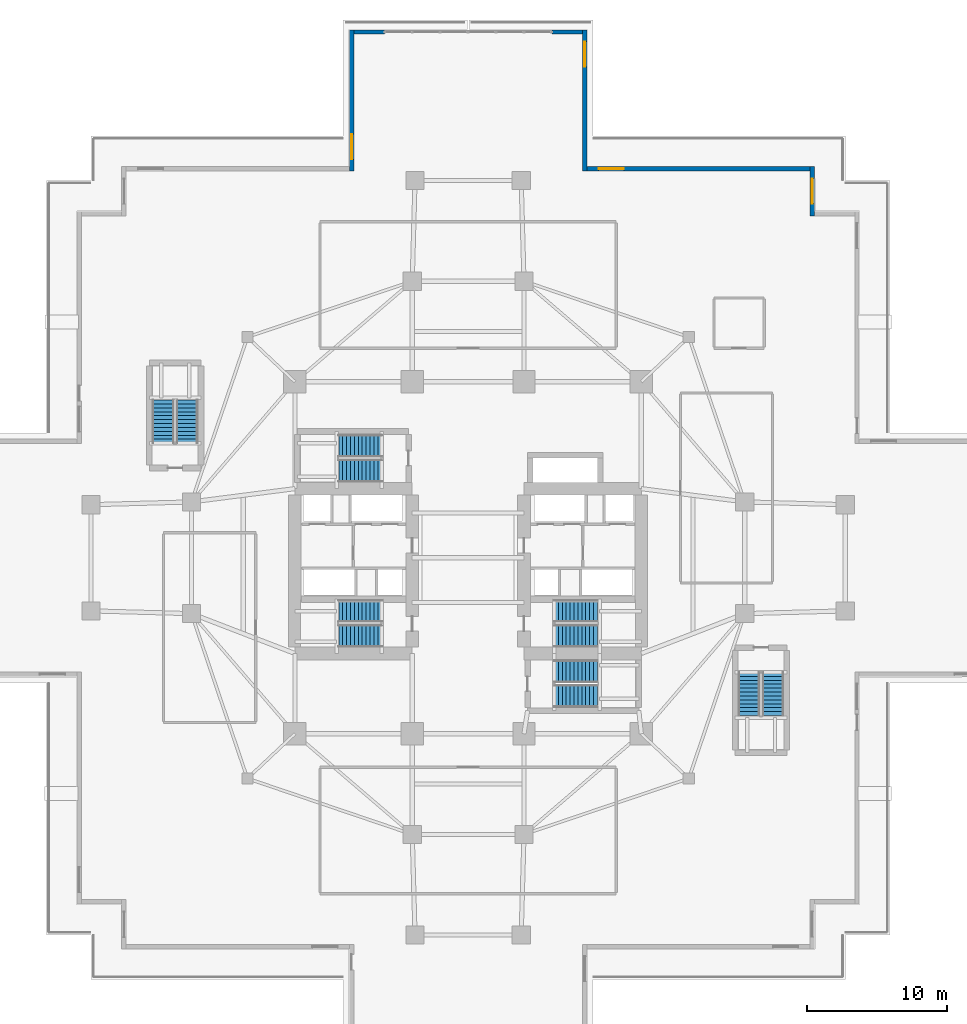
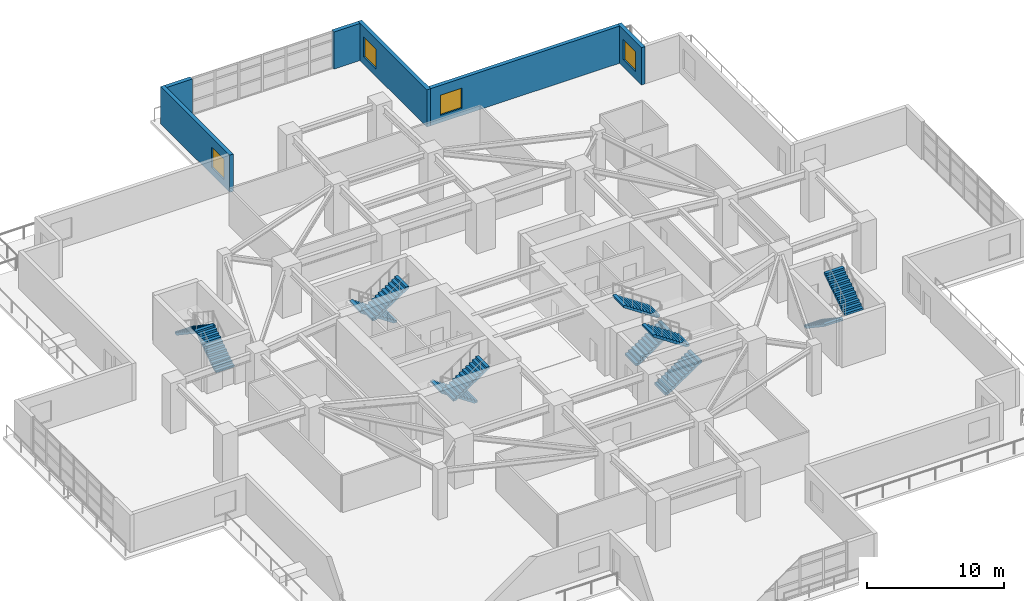
# One storey, part 16 of 23: 12 stair flights, 6 walls, 4 windows, 4 openings, 6 elements without a shape of their own.
"""IFC4 building model written with IfcOpenShell, lengths in metres."""

import ifcopenshell
import ifcopenshell.guid

model = None  # the IFC model being written
_history = None  # IfcOwnerHistory: only IFC2X3 demands one
_inside = {}  # id of a spatial element -> (the spatial element, [elements in it])
_under = {}  # id of a project, library or spatial element -> (it, [spatial elements below it])
_declared = {}  # id of a project -> (the project, [libraries it declares])
_typed = {}  # id of a type object -> (the type object, [elements of that type])
_made_of = {}  # id of a material, layer set ... -> (it, [elements and type objects made of it])


def new_model(schema):
    """Start an empty IFC model of exactly this schema.

    Asked for "IFC4X3", IfcOpenShell would pick the latest addendum, in which some entities
    have other attributes; the version numbers below select the first issue.
    IFC2X3 requires an IfcOwnerHistory on every rooted entity: one is made here for all.
    """
    global model, _history
    if schema == "IFC4X3":
        model = ifcopenshell.file(schema_version=(4, 3, 0, 0))
    else:
        model = ifcopenshell.file(schema=schema)
    _inside.clear()
    _under.clear()
    _declared.clear()
    _typed.clear()
    _made_of.clear()
    _history = None
    if model.schema == "IFC2X3":
        org = make("IfcOrganization", Name="unknown")
        user = make(
            "IfcPersonAndOrganization",
            ThePerson=make("IfcPerson", FamilyName="unknown"),
            TheOrganization=org,
        )
        app = make(
            "IfcApplication",
            ApplicationDeveloper=org,
            Version="unknown",
            ApplicationFullName="unknown",
            ApplicationIdentifier="unknown",
        )
        _history = make(
            "IfcOwnerHistory",
            OwningUser=user,
            OwningApplication=app,
            ChangeAction="ADDED",
            CreationDate=0,
        )
    return model


def make(cls, **values):
    """One entity of the class cls with the attributes given. An attribute that is None is left unset."""
    return model.create_entity(
        cls, **{name: value for name, value in values.items() if value is not None}
    )


def rooted(cls, **values):
    """An entity with a GlobalId (a new one), such as an element, a storey or a relation."""
    return make(cls, GlobalId=ifcopenshell.guid.new(), OwnerHistory=_history, **values)


def si_unit(unit_type, name, prefix=None):
    """IfcSIUnit, for example si_unit("LENGTHUNIT", "METRE", prefix="MILLI")."""
    return make("IfcSIUnit", UnitType=unit_type, Prefix=prefix, Name=name)


def assignment(units):
    """IfcUnitAssignment: the units of a project."""
    return None if units is None else make("IfcUnitAssignment", Units=units)


def point(xyz):
    """IfcCartesianPoint."""
    return None if xyz is None else make("IfcCartesianPoint", Coordinates=xyz)


def direction(xyz):
    """IfcDirection."""
    return None if xyz is None else make("IfcDirection", DirectionRatios=xyz)


def frame(location, z_axis=None, x_axis=None):
    """IfcAxis2Placement3D, a coordinate frame: its origin and axes. An axis left out is left unset."""
    return make(
        "IfcAxis2Placement3D",
        Location=point(location),
        Axis=direction(z_axis),
        RefDirection=direction(x_axis),
    )


def frame_2d(location, x_axis=None):
    """IfcAxis2Placement2D, a coordinate frame in the plane: its origin and x axis."""
    return make(
        "IfcAxis2Placement2D", Location=point(location), RefDirection=direction(x_axis)
    )


def origin():
    """The frame at (0, 0, 0) with its axes left unset."""
    return frame((0.0, 0.0, 0.0))


def place(relative_to, where):
    """IfcLocalPlacement: puts the frame where relative to a parent placement (None: the world)."""
    return make(
        "IfcLocalPlacement", PlacementRelTo=relative_to, RelativePlacement=where
    )


def context(
    kind, dimensions, precision=None, world=None, true_north=None, identifier=None
):
    """IfcGeometricRepresentationContext, for example the 3D "Model" context."""
    return make(
        "IfcGeometricRepresentationContext",
        ContextIdentifier=identifier,
        ContextType=kind,
        CoordinateSpaceDimension=dimensions,
        Precision=precision,
        WorldCoordinateSystem=world,
        TrueNorth=true_north,
    )


def subcontext(parent, identifier, kind, view, scale=None):
    """IfcGeometricRepresentationSubContext, for example "Body" below "Model"."""
    return make(
        "IfcGeometricRepresentationSubContext",
        ContextIdentifier=identifier,
        ContextType=kind,
        ParentContext=parent,
        TargetScale=scale,
        TargetView=view,
    )


def project(units=None, contexts=None):
    """IfcProject with its units and contexts."""
    return rooted(
        "IfcProject",
        Name="project",
        RepresentationContexts=contexts,
        UnitsInContext=assignment(units),
    )


def spatial(cls, under=None, at=None, **own):
    """A site, building, storey or space (cls), placed at a placement, below another one or the project."""
    s = rooted(cls, ObjectPlacement=at, **own)
    if under is not None:
        _under.setdefault(under.id(), (under, []))[1].append(s)
    return s


def polyline(points):
    """IfcPolyline through the points."""
    return make("IfcPolyline", Points=[point(p) for p in points])


def profile(cls, at=None, kind="AREA", **sizes):
    """A parametric profile (cls). Its sizes go by their IFC names, for example OverallWidth=200.0."""
    return make(cls, ProfileType=kind, Position=at, **sizes)


def rectangle(**sizes):
    """IfcRectangleProfileDef."""
    return profile("IfcRectangleProfileDef", **sizes)


def outline(outer, holes=None, kind="AREA"):
    """IfcArbitraryClosedProfileDef: a profile drawn as a closed curve; with holes, ...WithVoids."""
    if holes is None:
        return make("IfcArbitraryClosedProfileDef", ProfileType=kind, OuterCurve=outer)
    return make(
        "IfcArbitraryProfileDefWithVoids",
        ProfileType=kind,
        OuterCurve=outer,
        InnerCurves=holes,
    )


def extrude(swept, where, along, depth):
    """IfcExtrudedAreaSolid: the profile swept, set in the frame where, extruded along a direction by depth."""
    return make(
        "IfcExtrudedAreaSolid",
        SweptArea=swept,
        Position=where,
        ExtrudedDirection=direction(along),
        Depth=depth,
    )


def shape(context_of_items, identifier, shape_type, items):
    """IfcShapeRepresentation: the items that make up one representation, for example the "Body"."""
    return make(
        "IfcShapeRepresentation",
        ContextOfItems=context_of_items,
        RepresentationIdentifier=identifier,
        RepresentationType=shape_type,
        Items=items,
    )


def material(Name=None, Category=None):
    """IfcMaterial."""
    return make("IfcMaterial", Name=Name, Category=Category)


def layer(
    of_material, thickness, ventilated=None, Name=None, Category=None, Priority=None
):
    """IfcMaterialLayer: one layer of a wall or slab, of a material (None: an air gap)."""
    return make(
        "IfcMaterialLayer",
        Material=of_material,
        LayerThickness=thickness,
        IsVentilated=ventilated,
        Name=Name,
        Category=Category,
        Priority=Priority,
    )


def layer_set(layers, Name=None):
    """IfcMaterialLayerSet."""
    return make("IfcMaterialLayerSet", MaterialLayers=layers, LayerSetName=Name)


def made_of(thing, what):
    """Note that an element or type object is made of a material, layer set ...; save() writes the relation."""
    if what is not None:
        _made_of.setdefault(what.id(), (what, []))[1].append(thing)
    return thing


def type_object(cls, material=None, **own):
    """A type object (cls), such as IfcWallType, which elements share."""
    return made_of(rooted(cls, **own), material)


def element(
    cls,
    number,
    at=None,
    inside=None,
    cuts=None,
    type_object=None,
    material=None,
    context=None,
    identifier="Body",
    shape_type=None,
    held_by="IfcProductDefinitionShape",
    body=None,
    shapes=None,
    **own,
):
    """One element of the class cls, such as IfcWall. Its Tag is "e" and its number.

    at: its placement. inside: the storey or other place that contains it. cuts: it is an
    opening in that element (IfcRelVoidsElement). A single representation is given by context,
    identifier, shape_type and body (its items); several are given by shapes. held_by: the class
    of the entity that holds the representations. save() writes the other relations.
    """
    e = rooted(cls, Tag="e%d" % number, ObjectPlacement=at, **own)
    if body is not None:
        shapes = [shape(context, identifier, shape_type, body)]
    if shapes is not None:
        e.Representation = make(held_by, Representations=shapes)
    if inside is not None:
        _inside.setdefault(inside.id(), (inside, []))[1].append(e)
    if cuts is not None:
        rooted(
            "IfcRelVoidsElement", RelatingBuildingElement=cuts, RelatedOpeningElement=e
        )
    if type_object is not None:
        _typed.setdefault(type_object.id(), (type_object, []))[1].append(e)
    return made_of(e, material)


def fill(opening, filler):
    """IfcRelFillsElement: the door or window that sits in an opening."""
    return rooted(
        "IfcRelFillsElement",
        RelatingOpeningElement=opening,
        RelatedBuildingElement=filler,
    )


def aggregate(whole, parts):
    """IfcRelAggregates: a whole, such as a stair, and the parts it consists of."""
    return rooted("IfcRelAggregates", RelatingObject=whole, RelatedObjects=parts)


def save(model, path):
    """Write the relations noted so far, then the file.

    IfcRelAggregates (storeys below a building ...), IfcRelContainedInSpatialStructure (elements
    in a storey), IfcRelDefinesByType, IfcRelAssociatesMaterial and IfcRelDeclares: one each for
    every whole, place, type object, material and project.
    """
    for whole, parts in _under.values():
        aggregate(whole, parts)
    for where, things in _inside.values():
        rooted(
            "IfcRelContainedInSpatialStructure",
            RelatedElements=things,
            RelatingStructure=where,
        )
    for kind, things in _typed.values():
        rooted("IfcRelDefinesByType", RelatedObjects=things, RelatingType=kind)
    for what, things in _made_of.values():
        rooted("IfcRelAssociatesMaterial", RelatedObjects=things, RelatingMaterial=what)
    for by, libraries in _declared.values():
        rooted("IfcRelDeclares", RelatingContext=by, RelatedDefinitions=libraries)
    model.write(path)


model = new_model("IFC4")

# Units and contexts
model_context = context("Model", 3, precision=1e-05, world=origin(), true_north=direction((0.0, 1.0)))
body_context = subcontext(model_context, "Body", "Model", "MODEL_VIEW")
ifc_project = project(units=[si_unit("LENGTHUNIT", "METRE"), si_unit("AREAUNIT", "SQUARE_METRE"), si_unit("VOLUMEUNIT", "CUBIC_METRE"), si_unit("PLANEANGLEUNIT", "RADIAN"), si_unit("MASSUNIT", "GRAM", prefix="KILO")], contexts=[model_context])

# Site, building, storey
site_placement = place(None, origin())
site = spatial("IfcSite", under=ifc_project, at=site_placement, CompositionType="ELEMENT")
building_placement = place(site_placement, origin())
building = spatial("IfcBuilding", under=site, at=building_placement, Name="Qingluan Cross Belvedere", CompositionType="ELEMENT")
storey_placement = place(building_placement, frame((0.0, 0.0, 10.199951171875)))
storey = spatial("IfcBuildingStorey", under=building, at=storey_placement, Name="L03", CompositionType="ELEMENT", Elevation=10.199951171875)

# Wall, opening, window
ifc_material_1 = material(Name="Precast concrete C45", Category="concrete")
ifc_layer_1 = layer(ifc_material_1, 0.320068359375, Name="PrecastPodiumWall_320")
ifc_layer_set_1 = layer_set([ifc_layer_1], Name="Precast concrete C45")
wall_type = type_object("IfcWallType", Name="PrecastPodiumWall_320", PredefinedType="STANDARD", material=ifc_layer_set_1)
wall_1_placement = place(storey_placement, frame((-8.340087890625, 27.679931640625, 0.0), z_axis=(0.0, 0.0, 1.0), x_axis=(0.0, 1.0, 0.0)))
wall_1 = element("IfcWall", 1, at=wall_1_placement, inside=storey, type_object=wall_type, Name="Podium precast facade wall L03-S18", PredefinedType="STANDARD", context=body_context, shape_type="SweptSolid", body=[
    extrude(rectangle(XDim=10.1201171875, YDim=0.320068359375, at=frame_2d((5.06005859375, 0.0))), origin(), (0.0, 0.0, 1.0), 3.330078125),
])
opening_1_placement = place(wall_1_placement, frame((0.85009765625, 0.0, 0.64990234375)))
opening_1 = element("IfcOpeningElement", 2, at=opening_1_placement, cuts=wall_1, Name="Opening W-06", PredefinedType="OPENING", context=body_context, shape_type="SweptSolid", body=[
    extrude(rectangle(XDim=1.800048828125, YDim=1.800048828125, at=frame_2d((0.89990234375, 0.89990234375))), frame((0.0, 0.169921875, 0.0), z_axis=(0.0, -1.0, 0.0), x_axis=(1.0, 0.0, 0.0)), (0.0, 0.0, 1.0), 0.340087890625),
])
ifc_material_2 = material(Name="Thermally broken triple Low-E glass in aluminium frame", Category="aluminium")
window_type = type_object("IfcWindowType", Name="PodiumGalleryWin_1800x1800", PartitioningType="SINGLE_PANEL", PredefinedType="WINDOW", material=ifc_material_2)
window_1_placement = place(opening_1_placement, origin())
window_1 = element("IfcWindow", 3, at=window_1_placement, inside=storey, type_object=window_type, Name="Podium gallery window L03-S18", OverallHeight=1.800048828125, OverallWidth=1.800048828125, PartitioningType="SINGLE_PANEL", PredefinedType="WINDOW", context=body_context, shape_type="SweptSolid", body=[
    extrude(rectangle(XDim=1.800048828125, YDim=1.800048828125, at=frame_2d((0.89990234375, 0.89990234375))), frame((0.0, 0.030029296875, 0.0), z_axis=(0.0, -1.0, 0.0), x_axis=(1.0, 0.0, 0.0)), (0.0, 0.0, 1.0), 0.06005859375),
])
fill(opening_1, window_1)

# Walls
for number, where, z_axis, x_axis, name in (
    (4, (-8.179931640625, 37.639892578125, 0.0), (0.0, 0.0, 1.0), (1.0, 0.0, 0.0), "Podium portal pier L03-P3JA"),
    (5, (6.0, 37.639892578125, 0.0), (0.0, 0.0, 1.0), (1.0, 0.0, 0.0), "Podium portal pier L03-P3JB"),
):
    element("IfcWall", number, at=place(storey_placement, frame(where, z_axis=z_axis, x_axis=x_axis)), inside=storey, type_object=wall_type, Name=name, PredefinedType="STANDARD", context=body_context, shape_type="SweptSolid", body=[
        extrude(rectangle(XDim=2.179931640625, YDim=0.320068359375, at=frame_2d((1.08984375, 0.0))), origin(), (0.0, 0.0, 1.0), 3.330078125),
    ])

# Wall, opening, window
wall_2_placement = place(storey_placement, frame((8.340087890625, 37.800048828125, 0.0), z_axis=(0.0, 0.0, 1.0), x_axis=(0.0, -1.0, 0.0)))
wall_2 = element("IfcWall", 6, at=wall_2_placement, inside=storey, type_object=wall_type, Name="Podium precast facade wall L03-S21", PredefinedType="STANDARD", context=body_context, shape_type="SweptSolid", body=[
    extrude(rectangle(XDim=10.1201171875, YDim=0.320068359375, at=frame_2d((5.06005859375, 0.0))), origin(), (0.0, 0.0, 1.0), 3.330078125),
])
opening_2_placement = place(wall_2_placement, frame((0.85009765625, 0.0, 0.64990234375)))
opening_2 = element("IfcOpeningElement", 7, at=opening_2_placement, cuts=wall_2, Name="Opening W-06", PredefinedType="OPENING", context=body_context, shape_type="SweptSolid", body=[
    extrude(rectangle(XDim=1.800048828125, YDim=1.800048828125, at=frame_2d((0.89990234375, 0.89990234375))), frame((0.0, 0.169921875, 0.0), z_axis=(0.0, -1.0, 0.0), x_axis=(1.0, 0.0, 0.0)), (0.0, 0.0, 1.0), 0.340087890625),
])
window_2_placement = place(opening_2_placement, origin())
window_2 = element("IfcWindow", 8, at=window_2_placement, inside=storey, type_object=window_type, Name="Podium gallery window L03-S21", OverallHeight=1.800048828125, OverallWidth=1.800048828125, PartitioningType="SINGLE_PANEL", PredefinedType="WINDOW", context=body_context, shape_type="SweptSolid", body=[
    extrude(rectangle(XDim=1.800048828125, YDim=1.800048828125, at=frame_2d((0.89990234375, 0.89990234375))), frame((0.0, 0.030029296875, 0.0), z_axis=(0.0, -1.0, 0.0), x_axis=(1.0, 0.0, 0.0)), (0.0, 0.0, 1.0), 0.06005859375),
])
fill(opening_2, window_2)

wall_3_placement = place(storey_placement, frame((8.5, 27.840087890625, 0.0), z_axis=(0.0, 0.0, 1.0), x_axis=(1.0, 0.0, 0.0)))
wall_3 = element("IfcWall", 9, at=wall_3_placement, inside=storey, type_object=wall_type, Name="Podium precast facade wall L03-S22", PredefinedType="STANDARD", context=body_context, shape_type="SweptSolid", body=[
    extrude(rectangle(XDim=15.97998046875, YDim=0.320068359375, at=frame_2d((7.989990234375, 0.0))), origin(), (0.0, 0.0, 1.0), 3.330078125),
])
opening_3_placement = place(wall_3_placement, frame((0.85009765625, 0.0, 0.64990234375)))
opening_3 = element("IfcOpeningElement", 10, at=opening_3_placement, cuts=wall_3, Name="Opening W-06", PredefinedType="OPENING", context=body_context, shape_type="SweptSolid", body=[
    extrude(rectangle(XDim=1.800048828125, YDim=1.800048828125, at=frame_2d((0.89990234375, 0.89990234375))), frame((0.0, 0.169921875, 0.0), z_axis=(0.0, -1.0, 0.0), x_axis=(1.0, 0.0, 0.0)), (0.0, 0.0, 1.0), 0.340087890625),
])
window_3_placement = place(opening_3_placement, origin())
window_3 = element("IfcWindow", 11, at=window_3_placement, inside=storey, type_object=window_type, Name="Podium gallery window L03-S22", OverallHeight=1.800048828125, OverallWidth=1.800048828125, PartitioningType="SINGLE_PANEL", PredefinedType="WINDOW", context=body_context, shape_type="SweptSolid", body=[
    extrude(rectangle(XDim=1.800048828125, YDim=1.800048828125, at=frame_2d((0.89990234375, 0.89990234375))), frame((0.0, 0.030029296875, 0.0), z_axis=(0.0, -1.0, 0.0), x_axis=(1.0, 0.0, 0.0)), (0.0, 0.0, 1.0), 0.06005859375),
])
fill(opening_3, window_3)

wall_4_placement = place(storey_placement, frame((24.639892578125, 28.0, 0.0), z_axis=(0.0, 0.0, 1.0), x_axis=(0.0, -1.0, 0.0)))
wall_4 = element("IfcWall", 12, at=wall_4_placement, inside=storey, type_object=wall_type, Name="Podium precast facade wall L03-S23", PredefinedType="STANDARD", context=body_context, shape_type="SweptSolid", body=[
    extrude(rectangle(XDim=3.52001953125, YDim=0.320068359375, at=frame_2d((1.760009765625, 0.0))), origin(), (0.0, 0.0, 1.0), 3.330078125),
])
opening_4_placement = place(wall_4_placement, frame((0.85009765625, 0.0, 0.64990234375)))
opening_4 = element("IfcOpeningElement", 13, at=opening_4_placement, cuts=wall_4, Name="Opening W-06", PredefinedType="OPENING", context=body_context, shape_type="SweptSolid", body=[
    extrude(rectangle(XDim=1.800048828125, YDim=1.800048828125, at=frame_2d((0.89990234375, 0.89990234375))), frame((0.0, 0.169921875, 0.0), z_axis=(0.0, -1.0, 0.0), x_axis=(1.0, 0.0, 0.0)), (0.0, 0.0, 1.0), 0.340087890625),
])
window_4_placement = place(opening_4_placement, origin())
window_4 = element("IfcWindow", 14, at=window_4_placement, inside=storey, type_object=window_type, Name="Podium gallery window L03-S23", OverallHeight=1.800048828125, OverallWidth=1.800048828125, PartitioningType="SINGLE_PANEL", PredefinedType="WINDOW", context=body_context, shape_type="SweptSolid", body=[
    extrude(rectangle(XDim=1.800048828125, YDim=1.800048828125, at=frame_2d((0.89990234375, 0.89990234375))), frame((0.0, 0.030029296875, 0.0), z_axis=(0.0, -1.0, 0.0), x_axis=(1.0, 0.0, 0.0)), (0.0, 0.0, 1.0), 0.06005859375),
])
fill(opening_4, window_4)

# Stair, stair flights
ifc_material_3 = material(Name="Concrete C40", Category="concrete")
stair_type_1 = type_object("IfcStairType", Name="PodiumExitStair_1550", PredefinedType="HALF_TURN_STAIR", material=ifc_material_3)
stair_1_placement = place(storey_placement, origin())
stair_1 = element("IfcStair", 15, at=stair_1_placement, inside=storey, type_object=stair_type_1, Name="L03 ST5", PredefinedType="HALF_TURN_STAIR")
ifc_material_4 = material(Name="Concrete C40", Category="concrete")
ifc_layer_2 = layer(ifc_material_4, 0.179931640625, Name="PodiumStairFlight_RC180")
ifc_layer_set_2 = layer_set([ifc_layer_2], Name="Concrete C40")
stair_flight_type_1 = type_object("IfcStairFlightType", Name="PodiumStairFlight_RC180", PredefinedType="STRAIGHT", material=ifc_layer_set_2)
stair_flight_1_placement = place(storey_placement, frame((-20.114990234375, 8.2099609375, 0.0), z_axis=(0.0, 0.0, 1.0), x_axis=(0.0, 1.0, 0.0)))
stair_flight_1 = element("IfcStairFlight", 16, at=stair_flight_1_placement, type_object=stair_flight_type_1, Name="ST5 flight 1", NumberOfRisers=12, NumberOfTreads=11, PredefinedType="STRAIGHT", RiserHeight=0.1875, TreadLength=0.28, context=body_context, shape_type="SweptSolid", body=[
    extrude(outline(polyline([(0.0, 0.0), (0.0, 0.1875), (0.280029296875, 0.1875), (0.280029296875, 0.375), (0.56005859375, 0.375), (0.56005859375, 0.5625), (0.840087890625, 0.5625), (0.840087890625, 0.75), (1.1201171875, 0.75), (1.1201171875, 0.9375), (1.39990234375, 0.9375), (1.39990234375, 1.125), (1.679931640625, 1.125), (1.679931640625, 1.3125), (1.9599609375, 1.3125), (1.9599609375, 1.5), (2.239990234375, 1.5), (2.239990234375, 1.6875), (2.52001953125, 1.6875), (2.52001953125, 1.875), (2.800048828125, 1.875), (2.800048828125, 2.0625), (3.080078125, 2.0625), (3.080078125, 2.25), (3.080078125, 1.882080078125), (0.26953125, 0.0), (0.0, 0.0)])), frame((0.0, 0.77490234375, 0.0), z_axis=(0.0, -1.0, 0.0), x_axis=(1.0, 0.0, 0.0)), (0.0, 0.0, 1.0), 1.550048828125),
])
stair_flight_2_placement = place(storey_placement, frame((-21.824951171875, 11.2900390625, 2.25), z_axis=(0.0, 0.0, 1.0), x_axis=(0.0, -1.0, 0.0)))
stair_flight_2 = element("IfcStairFlight", 17, at=stair_flight_2_placement, type_object=stair_flight_type_1, Name="ST5 flight 2", NumberOfRisers=12, NumberOfTreads=11, PredefinedType="STRAIGHT", RiserHeight=0.1875, TreadLength=0.28, context=body_context, shape_type="SweptSolid", body=[
    extrude(outline(polyline([(0.0, 0.0), (0.0, 0.1875), (0.280029296875, 0.1875), (0.280029296875, 0.375), (0.56005859375, 0.375), (0.56005859375, 0.5625), (0.840087890625, 0.5625), (0.840087890625, 0.75), (1.1201171875, 0.75), (1.1201171875, 0.9375), (1.39990234375, 0.9375), (1.39990234375, 1.125), (1.679931640625, 1.125), (1.679931640625, 1.3125), (1.9599609375, 1.3125), (1.9599609375, 1.5), (2.239990234375, 1.5), (2.239990234375, 1.6875), (2.52001953125, 1.6875), (2.52001953125, 1.875), (2.800048828125, 1.875), (2.800048828125, 2.0625), (3.080078125, 2.0625), (3.080078125, 2.25), (3.080078125, 1.882080078125), (0.26953125, 0.0), (0.0, 0.0)])), frame((0.0, 0.77490234375, 0.0), z_axis=(0.0, -1.0, 0.0), x_axis=(1.0, 0.0, 0.0)), (0.0, 0.0, 1.0), 1.550048828125),
])
aggregate(stair_1, [stair_flight_1, stair_flight_2])

stair_2_placement = place(storey_placement, origin())
stair_2 = element("IfcStair", 18, at=stair_2_placement, inside=storey, type_object=stair_type_1, Name="L03 ST6", PredefinedType="HALF_TURN_STAIR")
stair_flight_3_placement = place(storey_placement, frame((20.114990234375, -8.2099609375, 0.0), z_axis=(0.0, 0.0, 1.0), x_axis=(0.0, -1.0, 0.0)))
stair_flight_3 = element("IfcStairFlight", 19, at=stair_flight_3_placement, type_object=stair_flight_type_1, Name="ST6 flight 1", NumberOfRisers=12, NumberOfTreads=11, PredefinedType="STRAIGHT", RiserHeight=0.1875, TreadLength=0.28, context=body_context, shape_type="SweptSolid", body=[
    extrude(outline(polyline([(0.0, 0.0), (0.0, 0.1875), (0.280029296875, 0.1875), (0.280029296875, 0.375), (0.56005859375, 0.375), (0.56005859375, 0.5625), (0.840087890625, 0.5625), (0.840087890625, 0.75), (1.1201171875, 0.75), (1.1201171875, 0.9375), (1.39990234375, 0.9375), (1.39990234375, 1.125), (1.679931640625, 1.125), (1.679931640625, 1.3125), (1.9599609375, 1.3125), (1.9599609375, 1.5), (2.239990234375, 1.5), (2.239990234375, 1.6875), (2.52001953125, 1.6875), (2.52001953125, 1.875), (2.800048828125, 1.875), (2.800048828125, 2.0625), (3.080078125, 2.0625), (3.080078125, 2.25), (3.080078125, 1.882080078125), (0.26953125, 0.0), (0.0, 0.0)])), frame((0.0, 0.77490234375, 0.0), z_axis=(0.0, -1.0, 0.0), x_axis=(1.0, 0.0, 0.0)), (0.0, 0.0, 1.0), 1.550048828125),
])
stair_flight_4_placement = place(storey_placement, frame((21.824951171875, -11.2900390625, 2.25), z_axis=(0.0, 0.0, 1.0), x_axis=(0.0, 1.0, 0.0)))
stair_flight_4 = element("IfcStairFlight", 20, at=stair_flight_4_placement, type_object=stair_flight_type_1, Name="ST6 flight 2", NumberOfRisers=12, NumberOfTreads=11, PredefinedType="STRAIGHT", RiserHeight=0.1875, TreadLength=0.28, context=body_context, shape_type="SweptSolid", body=[
    extrude(outline(polyline([(0.0, 0.0), (0.0, 0.1875), (0.280029296875, 0.1875), (0.280029296875, 0.375), (0.56005859375, 0.375), (0.56005859375, 0.5625), (0.840087890625, 0.5625), (0.840087890625, 0.75), (1.1201171875, 0.75), (1.1201171875, 0.9375), (1.39990234375, 0.9375), (1.39990234375, 1.125), (1.679931640625, 1.125), (1.679931640625, 1.3125), (1.9599609375, 1.3125), (1.9599609375, 1.5), (2.239990234375, 1.5), (2.239990234375, 1.6875), (2.52001953125, 1.6875), (2.52001953125, 1.875), (2.800048828125, 1.875), (2.800048828125, 2.0625), (3.080078125, 2.0625), (3.080078125, 2.25), (3.080078125, 1.882080078125), (0.26953125, 0.0), (0.0, 0.0)])), frame((0.0, 0.77490234375, 0.0), z_axis=(0.0, -1.0, 0.0), x_axis=(1.0, 0.0, 0.0)), (0.0, 0.0, 1.0), 1.550048828125),
])
aggregate(stair_2, [stair_flight_3, stair_flight_4])

ifc_material_5 = material(Name="Concrete C40", Category="concrete")
stair_type_2 = type_object("IfcStairType", Name="CoreDoglegStair_1620", PredefinedType="HALF_TURN_STAIR", material=ifc_material_5)
stair_3_placement = place(storey_placement, origin())
stair_3 = element("IfcStair", 21, at=stair_3_placement, inside=storey, type_object=stair_type_2, Name="L03 ST1", PredefinedType="HALF_TURN_STAIR")
ifc_material_6 = material(Name="Concrete C40", Category="concrete")
ifc_layer_3 = layer(ifc_material_6, 0.179931640625, Name="StairFlight_RC180")
ifc_layer_set_3 = layer_set([ifc_layer_3], Name="Concrete C40")
stair_flight_type_2 = type_object("IfcStairFlightType", Name="StairFlight_RC180", PredefinedType="STRAIGHT", material=ifc_layer_set_3)
stair_flight_5_placement = place(storey_placement, frame((-6.179931640625, -3.81005859375, 0.0), z_axis=(0.0, 0.0, 1.0), x_axis=(-1.0, 0.0, 0.0)))
stair_flight_5 = element("IfcStairFlight", 22, at=stair_flight_5_placement, type_object=stair_flight_type_2, Name="ST1 flight 1", NumberOfRisers=12, NumberOfTreads=11, PredefinedType="STRAIGHT", RiserHeight=0.1875, TreadLength=0.28, context=body_context, shape_type="SweptSolid", body=[
    extrude(outline(polyline([(0.0, 0.0), (0.0, 0.1875), (0.280029296875, 0.1875), (0.280029296875, 0.375), (0.56005859375, 0.375), (0.56005859375, 0.5625), (0.840087890625, 0.5625), (0.840087890625, 0.75), (1.1201171875, 0.75), (1.1201171875, 0.9375), (1.39990234375, 0.9375), (1.39990234375, 1.125), (1.679931640625, 1.125), (1.679931640625, 1.3125), (1.9599609375, 1.3125), (1.9599609375, 1.5), (2.239990234375, 1.5), (2.239990234375, 1.6875), (2.52001953125, 1.6875), (2.52001953125, 1.875), (2.800048828125, 1.875), (2.800048828125, 2.0625), (3.080078125, 2.0625), (3.080078125, 2.25), (3.080078125, 1.882080078125), (0.26953125, 0.0), (0.0, 0.0)])), frame((0.0, 0.81005859375, 0.0), z_axis=(0.0, -1.0, 0.0), x_axis=(1.0, 0.0, 0.0)), (0.0, 0.0, 1.0), 1.6201171875),
])
stair_flight_6_placement = place(storey_placement, frame((-9.260009765625, -5.590087890625, 2.25), z_axis=(0.0, 0.0, 1.0), x_axis=(1.0, 0.0, 0.0)))
stair_flight_6 = element("IfcStairFlight", 23, at=stair_flight_6_placement, type_object=stair_flight_type_2, Name="ST1 flight 2", NumberOfRisers=12, NumberOfTreads=11, PredefinedType="STRAIGHT", RiserHeight=0.1875, TreadLength=0.28, context=body_context, shape_type="SweptSolid", body=[
    extrude(outline(polyline([(0.0, 0.0), (0.0, 0.1875), (0.280029296875, 0.1875), (0.280029296875, 0.375), (0.56005859375, 0.375), (0.56005859375, 0.5625), (0.840087890625, 0.5625), (0.840087890625, 0.75), (1.1201171875, 0.75), (1.1201171875, 0.9375), (1.39990234375, 0.9375), (1.39990234375, 1.125), (1.679931640625, 1.125), (1.679931640625, 1.3125), (1.9599609375, 1.3125), (1.9599609375, 1.5), (2.239990234375, 1.5), (2.239990234375, 1.6875), (2.52001953125, 1.6875), (2.52001953125, 1.875), (2.800048828125, 1.875), (2.800048828125, 2.0625), (3.080078125, 2.0625), (3.080078125, 2.25), (3.080078125, 1.882080078125), (0.26953125, 0.0), (0.0, 0.0)])), frame((0.0, 0.81005859375, 0.0), z_axis=(0.0, -1.0, 0.0), x_axis=(1.0, 0.0, 0.0)), (0.0, 0.0, 1.0), 1.6201171875),
])
aggregate(stair_3, [stair_flight_5, stair_flight_6])

stair_4_placement = place(storey_placement, origin())
stair_4 = element("IfcStair", 24, at=stair_4_placement, inside=storey, type_object=stair_type_2, Name="L03 ST2", PredefinedType="HALF_TURN_STAIR")
stair_flight_7_placement = place(storey_placement, frame((6.179931640625, -5.590087890625, 0.0), z_axis=(0.0, 0.0, 1.0), x_axis=(1.0, 0.0, 0.0)))
stair_flight_7 = element("IfcStairFlight", 25, at=stair_flight_7_placement, type_object=stair_flight_type_2, Name="ST2 flight 1", NumberOfRisers=12, NumberOfTreads=11, PredefinedType="STRAIGHT", RiserHeight=0.1875, TreadLength=0.28, context=body_context, shape_type="SweptSolid", body=[
    extrude(outline(polyline([(0.0, 0.0), (0.0, 0.1875), (0.280029296875, 0.1875), (0.280029296875, 0.375), (0.56005859375, 0.375), (0.56005859375, 0.5625), (0.840087890625, 0.5625), (0.840087890625, 0.75), (1.1201171875, 0.75), (1.1201171875, 0.9375), (1.39990234375, 0.9375), (1.39990234375, 1.125), (1.679931640625, 1.125), (1.679931640625, 1.3125), (1.9599609375, 1.3125), (1.9599609375, 1.5), (2.239990234375, 1.5), (2.239990234375, 1.6875), (2.52001953125, 1.6875), (2.52001953125, 1.875), (2.800048828125, 1.875), (2.800048828125, 2.0625), (3.080078125, 2.0625), (3.080078125, 2.25), (3.080078125, 1.882080078125), (0.26953125, 0.0), (0.0, 0.0)])), frame((0.0, 0.81005859375, 0.0), z_axis=(0.0, -1.0, 0.0), x_axis=(1.0, 0.0, 0.0)), (0.0, 0.0, 1.0), 1.6201171875),
])
stair_flight_8_placement = place(storey_placement, frame((9.260009765625, -3.81005859375, 2.25), z_axis=(0.0, 0.0, 1.0), x_axis=(-1.0, 0.0, 0.0)))
stair_flight_8 = element("IfcStairFlight", 26, at=stair_flight_8_placement, type_object=stair_flight_type_2, Name="ST2 flight 2", NumberOfRisers=12, NumberOfTreads=11, PredefinedType="STRAIGHT", RiserHeight=0.1875, TreadLength=0.28, context=body_context, shape_type="SweptSolid", body=[
    extrude(outline(polyline([(0.0, 0.0), (0.0, 0.1875), (0.280029296875, 0.1875), (0.280029296875, 0.375), (0.56005859375, 0.375), (0.56005859375, 0.5625), (0.840087890625, 0.5625), (0.840087890625, 0.75), (1.1201171875, 0.75), (1.1201171875, 0.9375), (1.39990234375, 0.9375), (1.39990234375, 1.125), (1.679931640625, 1.125), (1.679931640625, 1.3125), (1.9599609375, 1.3125), (1.9599609375, 1.5), (2.239990234375, 1.5), (2.239990234375, 1.6875), (2.52001953125, 1.6875), (2.52001953125, 1.875), (2.800048828125, 1.875), (2.800048828125, 2.0625), (3.080078125, 2.0625), (3.080078125, 2.25), (3.080078125, 1.882080078125), (0.26953125, 0.0), (0.0, 0.0)])), frame((0.0, 0.81005859375, 0.0), z_axis=(0.0, -1.0, 0.0), x_axis=(1.0, 0.0, 0.0)), (0.0, 0.0, 1.0), 1.6201171875),
])
aggregate(stair_4, [stair_flight_7, stair_flight_8])

stair_5_placement = place(storey_placement, origin())
stair_5 = element("IfcStair", 27, at=stair_5_placement, inside=storey, type_object=stair_type_2, Name="L03 ST3", PredefinedType="HALF_TURN_STAIR")
stair_flight_9_placement = place(storey_placement, frame((-6.179931640625, 8.010009765625, 0.0), z_axis=(0.0, 0.0, 1.0), x_axis=(-1.0, 0.0, 0.0)))
stair_flight_9 = element("IfcStairFlight", 28, at=stair_flight_9_placement, type_object=stair_flight_type_2, Name="ST3 flight 1", NumberOfRisers=12, NumberOfTreads=11, PredefinedType="STRAIGHT", RiserHeight=0.1875, TreadLength=0.28, context=body_context, shape_type="SweptSolid", body=[
    extrude(outline(polyline([(0.0, 0.0), (0.0, 0.1875), (0.280029296875, 0.1875), (0.280029296875, 0.375), (0.56005859375, 0.375), (0.56005859375, 0.5625), (0.840087890625, 0.5625), (0.840087890625, 0.75), (1.1201171875, 0.75), (1.1201171875, 0.9375), (1.39990234375, 0.9375), (1.39990234375, 1.125), (1.679931640625, 1.125), (1.679931640625, 1.3125), (1.9599609375, 1.3125), (1.9599609375, 1.5), (2.239990234375, 1.5), (2.239990234375, 1.6875), (2.52001953125, 1.6875), (2.52001953125, 1.875), (2.800048828125, 1.875), (2.800048828125, 2.0625), (3.080078125, 2.0625), (3.080078125, 2.25), (3.080078125, 1.882080078125), (0.26953125, 0.0), (0.0, 0.0)])), frame((0.0, 0.81005859375, 0.0), z_axis=(0.0, -1.0, 0.0), x_axis=(1.0, 0.0, 0.0)), (0.0, 0.0, 1.0), 1.6201171875),
])
stair_flight_10_placement = place(storey_placement, frame((-9.260009765625, 6.22998046875, 2.25), z_axis=(0.0, 0.0, 1.0), x_axis=(1.0, 0.0, 0.0)))
stair_flight_10 = element("IfcStairFlight", 29, at=stair_flight_10_placement, type_object=stair_flight_type_2, Name="ST3 flight 2", NumberOfRisers=12, NumberOfTreads=11, PredefinedType="STRAIGHT", RiserHeight=0.1875, TreadLength=0.28, context=body_context, shape_type="SweptSolid", body=[
    extrude(outline(polyline([(0.0, 0.0), (0.0, 0.1875), (0.280029296875, 0.1875), (0.280029296875, 0.375), (0.56005859375, 0.375), (0.56005859375, 0.5625), (0.840087890625, 0.5625), (0.840087890625, 0.75), (1.1201171875, 0.75), (1.1201171875, 0.9375), (1.39990234375, 0.9375), (1.39990234375, 1.125), (1.679931640625, 1.125), (1.679931640625, 1.3125), (1.9599609375, 1.3125), (1.9599609375, 1.5), (2.239990234375, 1.5), (2.239990234375, 1.6875), (2.52001953125, 1.6875), (2.52001953125, 1.875), (2.800048828125, 1.875), (2.800048828125, 2.0625), (3.080078125, 2.0625), (3.080078125, 2.25), (3.080078125, 1.882080078125), (0.26953125, 0.0), (0.0, 0.0)])), frame((0.0, 0.81005859375, 0.0), z_axis=(0.0, -1.0, 0.0), x_axis=(1.0, 0.0, 0.0)), (0.0, 0.0, 1.0), 1.6201171875),
])
aggregate(stair_5, [stair_flight_9, stair_flight_10])

stair_6_placement = place(storey_placement, origin())
stair_6 = element("IfcStair", 30, at=stair_6_placement, inside=storey, type_object=stair_type_2, Name="L03 ST4", PredefinedType="HALF_TURN_STAIR")
stair_flight_11_placement = place(storey_placement, frame((6.179931640625, -9.909912109375, 0.0), z_axis=(0.0, 0.0, 1.0), x_axis=(1.0, 0.0, 0.0)))
stair_flight_11 = element("IfcStairFlight", 31, at=stair_flight_11_placement, type_object=stair_flight_type_2, Name="ST4 flight 1", NumberOfRisers=12, NumberOfTreads=11, PredefinedType="STRAIGHT", RiserHeight=0.1875, TreadLength=0.28, context=body_context, shape_type="SweptSolid", body=[
    extrude(outline(polyline([(0.0, 0.0), (0.0, 0.1875), (0.280029296875, 0.1875), (0.280029296875, 0.375), (0.56005859375, 0.375), (0.56005859375, 0.5625), (0.840087890625, 0.5625), (0.840087890625, 0.75), (1.1201171875, 0.75), (1.1201171875, 0.9375), (1.39990234375, 0.9375), (1.39990234375, 1.125), (1.679931640625, 1.125), (1.679931640625, 1.3125), (1.9599609375, 1.3125), (1.9599609375, 1.5), (2.239990234375, 1.5), (2.239990234375, 1.6875), (2.52001953125, 1.6875), (2.52001953125, 1.875), (2.800048828125, 1.875), (2.800048828125, 2.0625), (3.080078125, 2.0625), (3.080078125, 2.25), (3.080078125, 1.882080078125), (0.26953125, 0.0), (0.0, 0.0)])), frame((0.0, 0.81005859375, 0.0), z_axis=(0.0, -1.0, 0.0), x_axis=(1.0, 0.0, 0.0)), (0.0, 0.0, 1.0), 1.6201171875),
])
stair_flight_12_placement = place(storey_placement, frame((9.260009765625, -8.1298828125, 2.25), z_axis=(0.0, 0.0, 1.0), x_axis=(-1.0, 0.0, 0.0)))
stair_flight_12 = element("IfcStairFlight", 32, at=stair_flight_12_placement, type_object=stair_flight_type_2, Name="ST4 flight 2", NumberOfRisers=12, NumberOfTreads=11, PredefinedType="STRAIGHT", RiserHeight=0.1875, TreadLength=0.28, context=body_context, shape_type="SweptSolid", body=[
    extrude(outline(polyline([(0.0, 0.0), (0.0, 0.1875), (0.280029296875, 0.1875), (0.280029296875, 0.375), (0.56005859375, 0.375), (0.56005859375, 0.5625), (0.840087890625, 0.5625), (0.840087890625, 0.75), (1.1201171875, 0.75), (1.1201171875, 0.9375), (1.39990234375, 0.9375), (1.39990234375, 1.125), (1.679931640625, 1.125), (1.679931640625, 1.3125), (1.9599609375, 1.3125), (1.9599609375, 1.5), (2.239990234375, 1.5), (2.239990234375, 1.6875), (2.52001953125, 1.6875), (2.52001953125, 1.875), (2.800048828125, 1.875), (2.800048828125, 2.0625), (3.080078125, 2.0625), (3.080078125, 2.25), (3.080078125, 1.882080078125), (0.26953125, 0.0), (0.0, 0.0)])), frame((0.0, 0.81005859375, 0.0), z_axis=(0.0, -1.0, 0.0), x_axis=(1.0, 0.0, 0.0)), (0.0, 0.0, 1.0), 1.6201171875),
])
aggregate(stair_6, [stair_flight_11, stair_flight_12])

save(model, "model.ifc")
